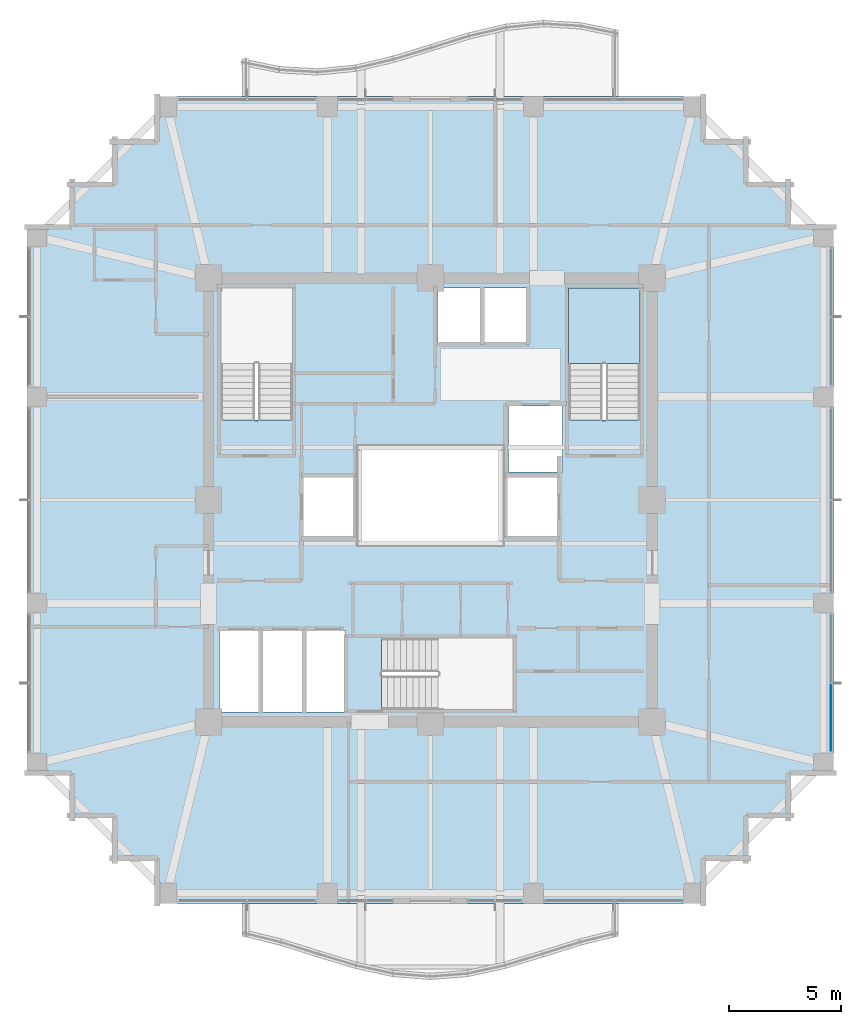
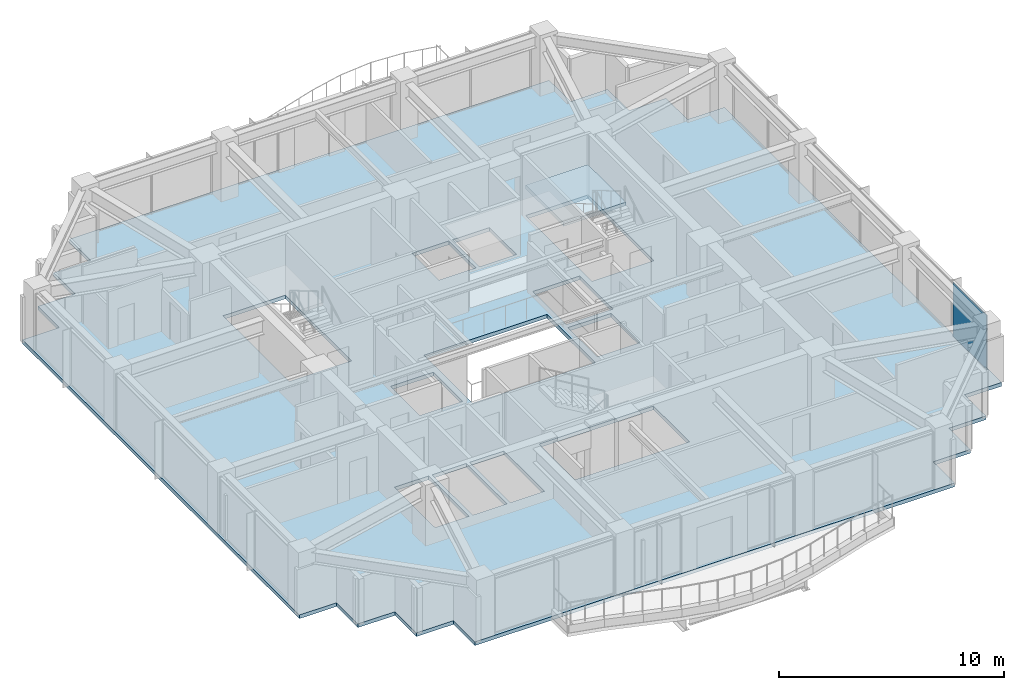
# One storey, part 24 of 31: 2 slabs, 1 plate, 2 elements without a shape of their own.
"""IFC4 building model written with IfcOpenShell, lengths in metres."""

from ifc_helpers import new_model, si_unit, direction, frame, origin, origin_2d, place, context, subcontext, project, spatial, polyline, rectangle, outline, extrude, material, layer, layer_set, type_object, element, aggregate, save


model = new_model("IFC4")

# Units and contexts
model_context = context("Model", 3, precision=1e-05, world=origin(), true_north=direction((0.0, 1.0)))
body_context = subcontext(model_context, "Body", "Model", "MODEL_VIEW")
ifc_project = project(units=[si_unit("LENGTHUNIT", "METRE"), si_unit("AREAUNIT", "SQUARE_METRE"), si_unit("VOLUMEUNIT", "CUBIC_METRE"), si_unit("PLANEANGLEUNIT", "RADIAN"), si_unit("MASSUNIT", "GRAM", prefix="KILO")], contexts=[model_context])

# Site, building, storey
site_placement = place(None, origin())
site = spatial("IfcSite", under=ifc_project, at=site_placement, CompositionType="ELEMENT")
building_placement = place(site_placement, origin())
building = spatial("IfcBuilding", under=site, at=building_placement, Name="Kolvaren Belvedere", CompositionType="ELEMENT")
storey_placement = place(building_placement, frame((0.0, 0.0, 134.89990234375)))
storey = spatial("IfcBuildingStorey", under=building, at=storey_placement, Name="L39", CompositionType="ELEMENT", Elevation=134.89990234375)

# Curtain wall, plate
ifc_material_1 = material(Name="Anodised pale-metal aluminium AA 6063-T6", Category="aluminium")
curtain_wall_type = type_object("IfcCurtainWallType", Name="CW-Z3-WAIST", PredefinedType="NOTDEFINED", material=ifc_material_1)
curtain_wall_placement = place(storey_placement, origin())
curtain_wall = element("IfcCurtainWall", 1, at=curtain_wall_placement, inside=storey, type_object=curtain_wall_type, Name="L39 Unitised Curtain Wall FCW-L39-E-B3", PredefinedType="NOTDEFINED")
ifc_material_2 = material(Name="Low-iron triple insulated glass", Category="glass")
ifc_layer_1 = layer(ifc_material_2, 0.028076171875)
ifc_layer_set_1 = layer_set([ifc_layer_1], Name="Low-iron triple insulated glass")
plate_type = type_object("IfcPlateType", Name="CW-PNL-VIS28", PredefinedType="CURTAIN_PANEL", material=ifc_layer_set_1)
plate_placement = place(storey_placement, frame((17.8798828125, -9.711181640625, 0.080078125), z_axis=(0.0, 0.0, 1.0), x_axis=(0.0, -1.0, 0.0)))
plate = element("IfcPlate", 2, at=plate_placement, type_object=plate_type, Name="FCW-L39-E-B3 Vision Glazing Panel 2", PredefinedType="CURTAIN_PANEL", context=body_context, shape_type="SweptSolid", body=[
    extrude(rectangle(XDim=2.992431640625, YDim=0.028076171875, at=origin_2d()), origin(), (0.0, 0.0, 1.0), 2.93994140625),
])
aggregate(curtain_wall, [plate])

# Slab
ifc_material_3 = material(Name="Concrete C50/60", Category="concrete")
ifc_layer_2 = layer(ifc_material_3, 0.199951171875)
ifc_layer_set_2 = layer_set([ifc_layer_2], Name="Concrete C50/60")
slab_type_1 = type_object("IfcSlabType", Name="SL-FLR-200", PredefinedType="FLOOR", material=ifc_layer_set_2)
slab_1_placement = place(storey_placement, frame((0.0, 0.0, -0.199951171875)))
element("IfcSlab", 3, at=slab_1_placement, inside=storey, type_object=slab_type_1, Name="L39 Primary Structural Slab", PredefinedType="FLOOR", context=body_context, shape_type="SweptSolid", body=[
    extrude(outline(polyline([(-12.300048828125, -18.0), (12.300048828125, -18.0), (12.300048828125, -16.10009765625), (14.199951171875, -16.10009765625), (14.199951171875, -14.199951171875), (16.10009765625, -14.199951171875), (16.10009765625, -12.300048828125), (18.0, -12.300048828125), (18.0, 12.300048828125), (16.10009765625, 12.300048828125), (16.10009765625, 14.199951171875), (14.199951171875, 14.199951171875), (14.199951171875, 16.10009765625), (12.300048828125, 16.10009765625), (12.300048828125, 18.0), (-12.300048828125, 18.0), (-12.300048828125, 16.10009765625), (-14.199951171875, 16.10009765625), (-14.199951171875, 14.199951171875), (-16.10009765625, 14.199951171875), (-16.10009765625, 12.300048828125), (-18.0, 12.300048828125), (-18.0, -12.300048828125), (-16.10009765625, -12.300048828125), (-16.10009765625, -14.199951171875), (-14.199951171875, -14.199951171875), (-14.199951171875, -16.10009765625), (-12.300048828125, -16.10009765625), (-12.300048828125, -18.0)]), holes=[polyline([(-9.35009765625, 3.580078125), (-6.159912109375, 3.580078125), (-6.159912109375, 9.449951171875), (-9.35009765625, 9.449951171875), (-9.35009765625, 3.580078125)]), polyline([(6.159912109375, 3.580078125), (9.35009765625, 3.580078125), (9.35009765625, 9.449951171875), (6.159912109375, 9.449951171875), (6.159912109375, 3.580078125)]), polyline([(-2.169921875, -9.35009765625), (3.699951171875, -9.35009765625), (3.699951171875, -6.159912109375), (-2.169921875, -6.159912109375), (-2.169921875, -9.35009765625)]), polyline([(-5.64990234375, -1.60009765625), (-3.449951171875, -1.60009765625), (-3.449951171875, 1.0), (-5.64990234375, 1.0), (-5.64990234375, -1.60009765625)]), polyline([(3.5, 1.25), (5.89990234375, 1.25), (5.89990234375, 4.199951171875), (3.5, 4.199951171875), (3.5, 1.25)]), polyline([(3.449951171875, -1.60009765625), (5.64990234375, -1.60009765625), (5.64990234375, 1.0), (3.449951171875, 1.0), (3.449951171875, -1.60009765625)]), polyline([(-9.39990234375, -9.449951171875), (-7.64990234375, -9.449951171875), (-7.64990234375, -5.85009765625), (-9.39990234375, -5.85009765625), (-9.39990234375, -9.449951171875)]), polyline([(-7.469970703125, -9.449951171875), (-5.719970703125, -9.449951171875), (-5.719970703125, -5.85009765625), (-7.469970703125, -5.85009765625), (-7.469970703125, -9.449951171875)]), polyline([(-5.5400390625, -9.449951171875), (-3.7900390625, -9.449951171875), (-3.7900390625, -5.85009765625), (-5.5400390625, -5.85009765625), (-5.5400390625, -9.449951171875)]), polyline([(0.320068359375, 7.050048828125), (2.219970703125, 7.050048828125), (2.219970703125, 9.449951171875), (0.320068359375, 9.449951171875), (0.320068359375, 7.050048828125)]), polyline([(2.39990234375, 7.050048828125), (4.300048828125, 7.050048828125), (4.300048828125, 9.449951171875), (2.39990234375, 9.449951171875), (2.39990234375, 7.050048828125)]), polyline([(-3.14990234375, -1.949951171875), (3.14990234375, -1.949951171875), (3.14990234375, 2.35009765625), (-3.14990234375, 2.35009765625), (-3.14990234375, -1.949951171875)])]), origin(), (0.0, 0.0, 1.0), 0.199951171875),
])

# Stair, slab
ifc_material_4 = material(Name="Concrete C50/60", Category="concrete")
stair_type = type_object("IfcStairType", Name="ST-CORE-1520", PredefinedType="HALF_TURN_STAIR", material=ifc_material_4)
stair_placement = place(storey_placement, origin())
stair = element("IfcStair", 4, at=stair_placement, inside=storey, type_object=stair_type, Name="L39 Protected Exit Stair ST-2", PredefinedType="HALF_TURN_STAIR")
ifc_material_5 = material(Name="Concrete C50/60", Category="concrete")
ifc_layer_3 = layer(ifc_material_5, 0.260009765625)
ifc_layer_set_3 = layer_set([ifc_layer_3], Name="Concrete C50/60")
slab_type_2 = type_object("IfcSlabType", Name="SL-LAND-260", PredefinedType="LANDING", material=ifc_layer_set_3)
slab_2_placement = place(storey_placement, frame((0.0, 0.0, 1.4501953125)))
slab_2 = element("IfcSlab", 5, at=slab_2_placement, type_object=slab_type_2, Name="ST-2 landing 1", PredefinedType="LANDING", context=body_context, shape_type="SweptSolid", body=[
    extrude(outline(polyline([(9.35009765625, 6.090087890625), (9.35009765625, 9.449951171875), (6.159912109375, 9.449951171875), (6.159912109375, 6.090087890625), (9.35009765625, 6.090087890625)])), origin(), (0.0, 0.0, 1.0), 0.199951171875),
])
aggregate(stair, [slab_2])

save(model, "model.ifc")
